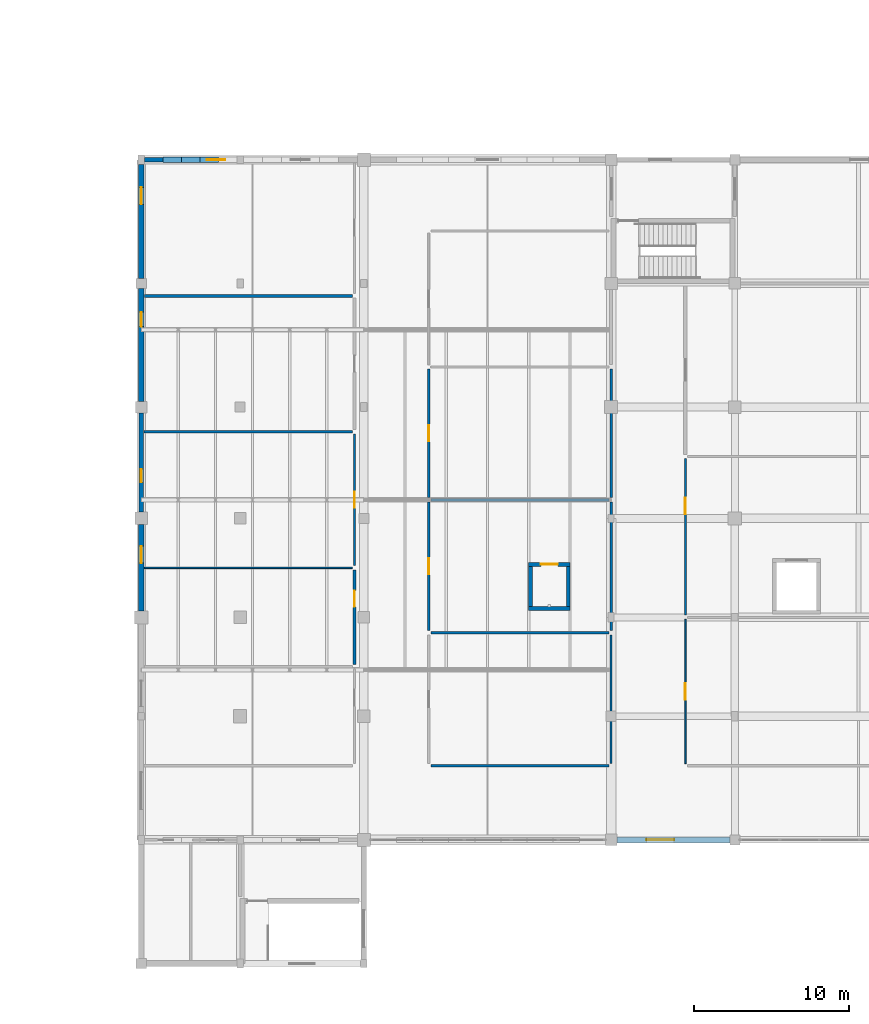
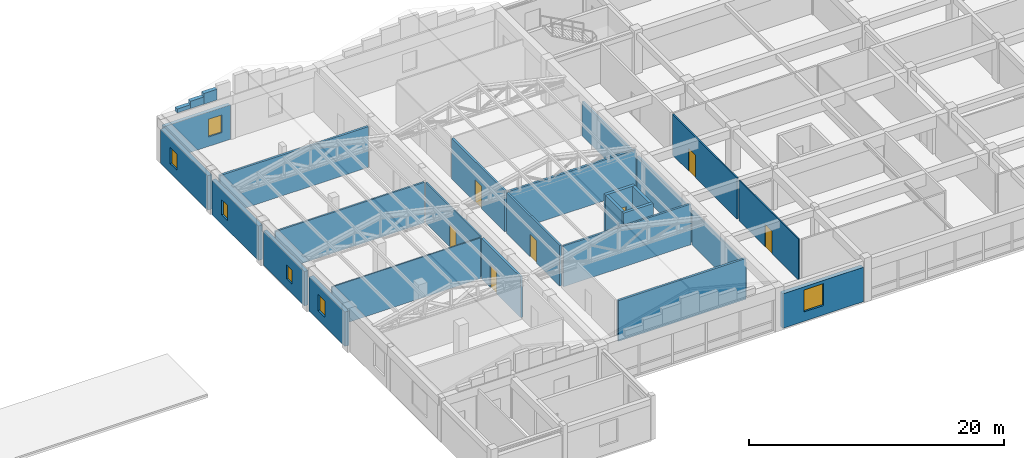
# One storey, part 27 of 35: 28 walls, 7 doors, 6 windows, 13 openings.
"""IFC4 building model written with IfcOpenShell, lengths in metres."""

from ifc_helpers import new_model, si_unit, direction, frame, frame_2d, origin, place, context, subcontext, project, spatial, rectangle, extrude, material, layer, layer_set, type_object, element, fill, save


model = new_model("IFC4")

# Units and contexts
model_context = context("Model", 3, precision=1e-05, world=origin(), true_north=direction((0.0, 1.0)))
body_context = subcontext(model_context, "Body", "Model", "MODEL_VIEW")
ifc_project = project(units=[si_unit("LENGTHUNIT", "METRE"), si_unit("AREAUNIT", "SQUARE_METRE"), si_unit("VOLUMEUNIT", "CUBIC_METRE"), si_unit("PLANEANGLEUNIT", "RADIAN"), si_unit("MASSUNIT", "GRAM", prefix="KILO")], contexts=[model_context])

# Site, building, storey
site_placement = place(None, origin())
site = spatial("IfcSite", under=ifc_project, at=site_placement, CompositionType="ELEMENT")
building_placement = place(site_placement, origin())
building = spatial("IfcBuilding", under=site, at=building_placement, Name="Vellmiral Cinema and Media Centre", CompositionType="ELEMENT")
storey_placement = place(building_placement, frame((0.0, 0.0, 15.60009765625)))
storey = spatial("IfcBuildingStorey", under=building, at=storey_placement, Name="L03", CompositionType="ELEMENT", Elevation=15.60009765625)

# Wall, opening, window
ifc_material_1 = material(Name="Polychrome Glazed Ceramic Cladding", Category="masonry")
ifc_layer_1 = layer(ifc_material_1, 0.320068359375, Name="Polychrome Glazed Ceramic Cladding")
ifc_layer_set_1 = layer_set([ifc_layer_1], Name="Polychrome Glazed Ceramic Cladding")
wall_type_1 = type_object("IfcWallType", Name="WL-EXT-BRICK-320", PredefinedType="SOLIDWALL", material=ifc_layer_set_1)
wall_1_placement = place(storey_placement, frame((54.199951171875, 95.199951171875, 0.0), z_axis=(0.0, 0.0, 1.0), x_axis=(-1.0, 0.0, 0.0)))
wall_1 = element("IfcWall", 1, at=wall_1_placement, inside=storey, type_object=wall_type_1, Name="Exterior Facade Wall L03-042", PredefinedType="SOLIDWALL", context=body_context, shape_type="SweptSolid", body=[
    extrude(rectangle(XDim=6.0, YDim=0.320068359375, at=frame_2d((3.0, 0.0))), origin(), (0.0, 0.0, 1.0), 3.2998046875),
])
opening_1_placement = place(wall_1_placement, frame((0.75, 0.0, 0.89990234375)))
opening_1 = element("IfcOpeningElement", 2, at=opening_1_placement, cuts=wall_1, Name="Opening WN-10", PredefinedType="OPENING", context=body_context, shape_type="SweptSolid", body=[
    extrude(rectangle(XDim=1.199951171875, YDim=1.699951171875, at=frame_2d((0.60009765625, 0.85009765625))), frame((0.0, 0.171875, 0.0), z_axis=(0.0, -1.0, 0.0), x_axis=(1.0, 0.0, 0.0)), (0.0, 0.0, 1.0), 0.343994140625),
])
ifc_material_2 = material(Name="Thermally Broken Aluminium Triple Glazing", Category="aluminium")
window_type_1 = type_object("IfcWindowType", Name="WN-1200x1700", PartitioningType="SINGLE_PANEL", PredefinedType="WINDOW", material=ifc_material_2)
window_1_placement = place(opening_1_placement, origin())
window_1 = element("IfcWindow", 3, at=window_1_placement, inside=storey, type_object=window_type_1, Name="Window L03-042", OverallHeight=1.699951171875, OverallWidth=1.199951171875, PartitioningType="SINGLE_PANEL", PredefinedType="WINDOW", context=body_context, shape_type="SweptSolid", body=[
    extrude(rectangle(XDim=1.199951171875, YDim=1.699951171875, at=frame_2d((0.60009765625, 0.85009765625))), frame((0.0, 0.030029296875, 0.0), z_axis=(0.0, -1.0, 0.0), x_axis=(1.0, 0.0, 0.0)), (0.0, 0.0, 1.0), 0.06005859375),
])
fill(opening_1, window_1)

wall_2_placement = place(storey_placement, frame((48.0, 78.824951171875, 0.0), z_axis=(0.0, 0.0, 1.0), x_axis=(0.0, -1.0, 0.0)))
wall_2 = element("IfcWall", 4, at=wall_2_placement, inside=storey, type_object=wall_type_1, Name="Exterior Facade Wall L03-045", PredefinedType="SOLIDWALL", context=body_context, shape_type="SweptSolid", body=[
    extrude(rectangle(XDim=6.425048828125, YDim=0.320068359375, at=frame_2d((3.21240234375, 0.0))), origin(), (0.0, 0.0, 1.0), 3.2998046875),
])
opening_2_placement = place(wall_2_placement, frame((3.637451171875, 0.0, 0.89990234375)))
opening_2 = element("IfcOpeningElement", 5, at=opening_2_placement, cuts=wall_2, Name="Opening WN-13", PredefinedType="OPENING", context=body_context, shape_type="SweptSolid", body=[
    extrude(rectangle(XDim=0.85009765625, YDim=1.35009765625, at=frame_2d((0.425048828125, 0.675048828125))), frame((0.0, 0.171875, 0.0), z_axis=(0.0, -1.0, 0.0), x_axis=(1.0, 0.0, 0.0)), (0.0, 0.0, 1.0), 0.343994140625),
])
ifc_material_3 = material(Name="Thermally Broken Aluminium Triple Glazing", Category="aluminium")
window_type_2 = type_object("IfcWindowType", Name="WN-0850x1350", PartitioningType="SINGLE_PANEL", PredefinedType="WINDOW", material=ifc_material_3)
window_2_placement = place(opening_2_placement, origin())
window_2 = element("IfcWindow", 6, at=window_2_placement, inside=storey, type_object=window_type_2, Name="Window L03-045", OverallHeight=1.35009765625, OverallWidth=0.85009765625, PartitioningType="SINGLE_PANEL", PredefinedType="WINDOW", context=body_context, shape_type="SweptSolid", body=[
    extrude(rectangle(XDim=0.85009765625, YDim=1.35009765625, at=frame_2d((0.425048828125, 0.675048828125))), frame((0.0, 0.030029296875, 0.0), z_axis=(0.0, -1.0, 0.0), x_axis=(1.0, 0.0, 0.0)), (0.0, 0.0, 1.0), 0.06005859375),
])
fill(opening_2, window_2)

# Walls
ifc_material_4 = material(Name="Vosges Red Sandstone Masonry", Category="masonry")
ifc_layer_2 = layer(ifc_material_4, 0.340087890625, Name="Vosges Red Sandstone Masonry")
ifc_layer_set_2 = layer_set([ifc_layer_2], Name="Vosges Red Sandstone Masonry")
wall_type_2 = type_object("IfcWallType", Name="WL-EXT-SAND-340", PredefinedType="SOLIDWALL", material=ifc_layer_set_2)
wall_3_placement = place(storey_placement, frame((49.39990234375, 95.199951171875, 4.199951171875), z_axis=(0.0, 0.0, 1.0), x_axis=(1.0, 0.0, 0.0)))
element("IfcWall", 7, at=wall_3_placement, inside=storey, type_object=wall_type_2, Name="Central Media Library West Barrel Vault Gable End Wall N-1", PredefinedType="SOLIDWALL", context=body_context, shape_type="SweptSolid", body=[
    extrude(rectangle(XDim=1.2001953125, YDim=0.340087890625, at=frame_2d((0.60009765625, 0.0))), origin(), (0.0, 0.0, 1.0), 0.375),
])
wall_4_placement = place(storey_placement, frame((50.60009765625, 95.199951171875, 4.199951171875), z_axis=(0.0, 0.0, 1.0), x_axis=(1.0, 0.0, 0.0)))
element("IfcWall", 8, at=wall_4_placement, inside=storey, type_object=wall_type_2, Name="Central Media Library West Barrel Vault Gable End Wall N-2", PredefinedType="SOLIDWALL", context=body_context, shape_type="SweptSolid", body=[
    extrude(rectangle(XDim=1.199951171875, YDim=0.340087890625, at=frame_2d((0.60009765625, 0.0))), origin(), (0.0, 0.0, 1.0), 0.696533203125),
])
wall_5_placement = place(storey_placement, frame((51.800048828125, 95.199951171875, 4.199951171875), z_axis=(0.0, 0.0, 1.0), x_axis=(1.0, 0.0, 0.0)))
element("IfcWall", 9, at=wall_5_placement, inside=storey, type_object=wall_type_2, Name="Central Media Library West Barrel Vault Gable End Wall N-3", PredefinedType="SOLIDWALL", context=body_context, shape_type="SweptSolid", body=[
    extrude(rectangle(XDim=1.199951171875, YDim=0.340087890625, at=frame_2d((0.60009765625, 0.0))), origin(), (0.0, 0.0, 1.0), 1.01806640625),
])

# Wall, opening, window
ifc_material_5 = material(Name="Vosges Red Sandstone Masonry", Category="masonry")
ifc_layer_3 = layer(ifc_material_5, 0.3798828125, Name="Vosges Red Sandstone Masonry")
ifc_layer_set_3 = layer_set([ifc_layer_3], Name="Vosges Red Sandstone Masonry")
wall_type_3 = type_object("IfcWallType", Name="WL-EXT-SAND-380", PredefinedType="SOLIDWALL", material=ifc_layer_set_3)
wall_6_placement = place(storey_placement, frame((78.77490234375, 51.199951171875, 0.0), z_axis=(0.0, 0.0, 1.0), x_axis=(1.0, 0.0, 0.0)))
wall_6 = element("IfcWall", 10, at=wall_6_placement, inside=storey, type_object=wall_type_3, Name="Exterior Facade Wall L03-005", PredefinedType="SOLIDWALL", context=body_context, shape_type="SweptSolid", body=[
    extrude(rectangle(XDim=7.300048828125, YDim=0.3798828125, at=frame_2d((3.64990234375, 0.0))), origin(), (0.0, 0.0, 1.0), 3.2998046875),
])
opening_3_placement = place(wall_6_placement, frame((1.89990234375, 0.0, 0.89990234375)))
opening_3 = element("IfcOpeningElement", 11, at=opening_3_placement, cuts=wall_6, Name="Opening WN-03", PredefinedType="OPENING", context=body_context, shape_type="SweptSolid", body=[
    extrude(rectangle(XDim=1.800048828125, YDim=2.10009765625, at=frame_2d((0.89990234375, 1.050048828125))), frame((0.0, 0.201904296875, 0.0), z_axis=(0.0, -1.0, 0.0), x_axis=(1.0, 0.0, 0.0)), (0.0, 0.0, 1.0), 0.40380859375),
])
ifc_material_6 = material(Name="Thermally Broken Aluminium Triple Glazing", Category="aluminium")
window_type_3 = type_object("IfcWindowType", Name="WN-1800x2100", PartitioningType="DOUBLE_PANEL_VERTICAL", PredefinedType="WINDOW", material=ifc_material_6)
window_3_placement = place(opening_3_placement, origin())
window_3 = element("IfcWindow", 12, at=window_3_placement, inside=storey, type_object=window_type_3, Name="Window L03-005", OverallHeight=2.10009765625, OverallWidth=1.800048828125, PartitioningType="DOUBLE_PANEL_VERTICAL", PredefinedType="WINDOW", context=body_context, shape_type="SweptSolid", body=[
    extrude(rectangle(XDim=1.800048828125, YDim=2.10009765625, at=frame_2d((0.89990234375, 1.050048828125))), frame((0.0, 0.030029296875, 0.0), z_axis=(0.0, -1.0, 0.0), x_axis=(1.0, 0.0, 0.0)), (0.0, 0.0, 1.0), 0.06005859375),
])
fill(opening_3, window_3)

wall_7_placement = place(storey_placement, frame((48.0, 94.89990234375, 0.0), z_axis=(0.0, 0.0, 1.0), x_axis=(0.0, -1.0, 0.0)))
wall_7 = element("IfcWall", 13, at=wall_7_placement, inside=storey, type_object=wall_type_3, Name="Exterior Facade Wall L03-043", PredefinedType="SOLIDWALL", context=body_context, shape_type="SweptSolid", body=[
    extrude(rectangle(XDim=7.375, YDim=0.3798828125, at=frame_2d((3.6875, 0.0))), origin(), (0.0, 0.0, 1.0), 3.2998046875),
])
opening_4_placement = place(wall_7_placement, frame((1.487548828125, 0.0, 0.89990234375)))
opening_4 = element("IfcOpeningElement", 14, at=opening_4_placement, cuts=wall_7, Name="Opening WN-11", PredefinedType="OPENING", context=body_context, shape_type="SweptSolid", body=[
    extrude(rectangle(XDim=1.10009765625, YDim=1.550048828125, at=frame_2d((0.550048828125, 0.77490234375))), frame((0.0, 0.201904296875, 0.0), z_axis=(0.0, -1.0, 0.0), x_axis=(1.0, 0.0, 0.0)), (0.0, 0.0, 1.0), 0.40380859375),
])
ifc_material_7 = material(Name="Thermally Broken Aluminium Triple Glazing", Category="aluminium")
window_type_4 = type_object("IfcWindowType", Name="WN-1100x1550", PartitioningType="SINGLE_PANEL", PredefinedType="WINDOW", material=ifc_material_7)
window_4_placement = place(opening_4_placement, origin())
window_4 = element("IfcWindow", 15, at=window_4_placement, inside=storey, type_object=window_type_4, Name="Window L03-043", OverallHeight=1.550048828125, OverallWidth=1.10009765625, PartitioningType="SINGLE_PANEL", PredefinedType="WINDOW", context=body_context, shape_type="SweptSolid", body=[
    extrude(rectangle(XDim=1.10009765625, YDim=1.550048828125, at=frame_2d((0.550048828125, 0.77490234375))), frame((0.0, 0.030029296875, 0.0), z_axis=(0.0, -1.0, 0.0), x_axis=(1.0, 0.0, 0.0)), (0.0, 0.0, 1.0), 0.06005859375),
])
fill(opening_4, window_4)

wall_8_placement = place(storey_placement, frame((48.0, 86.875, 0.0), z_axis=(0.0, 0.0, 1.0), x_axis=(0.0, -1.0, 0.0)))
wall_8 = element("IfcWall", 16, at=wall_8_placement, inside=storey, type_object=wall_type_3, Name="Exterior Facade Wall L03-044", PredefinedType="SOLIDWALL", context=body_context, shape_type="SweptSolid", body=[
    extrude(rectangle(XDim=7.300048828125, YDim=0.3798828125, at=frame_2d((3.64990234375, 0.0))), origin(), (0.0, 0.0, 1.0), 3.2998046875),
])
opening_5_placement = place(wall_8_placement, frame((1.52490234375, 0.0, 0.89990234375)))
opening_5 = element("IfcOpeningElement", 17, at=opening_5_placement, cuts=wall_8, Name="Opening WN-12", PredefinedType="OPENING", context=body_context, shape_type="SweptSolid", body=[
    extrude(rectangle(XDim=0.949951171875, YDim=1.449951171875, at=frame_2d((0.47509765625, 0.72509765625))), frame((0.0, 0.201904296875, 0.0), z_axis=(0.0, -1.0, 0.0), x_axis=(1.0, 0.0, 0.0)), (0.0, 0.0, 1.0), 0.40380859375),
])
ifc_material_8 = material(Name="Thermally Broken Aluminium Triple Glazing", Category="aluminium")
window_type_5 = type_object("IfcWindowType", Name="WN-0950x1450", PartitioningType="SINGLE_PANEL", PredefinedType="WINDOW", material=ifc_material_8)
window_5_placement = place(opening_5_placement, origin())
window_5 = element("IfcWindow", 18, at=window_5_placement, inside=storey, type_object=window_type_5, Name="Window L03-044", OverallHeight=1.449951171875, OverallWidth=0.949951171875, PartitioningType="SINGLE_PANEL", PredefinedType="WINDOW", context=body_context, shape_type="SweptSolid", body=[
    extrude(rectangle(XDim=0.949951171875, YDim=1.449951171875, at=frame_2d((0.47509765625, 0.72509765625))), frame((0.0, 0.030029296875, 0.0), z_axis=(0.0, -1.0, 0.0), x_axis=(1.0, 0.0, 0.0)), (0.0, 0.0, 1.0), 0.06005859375),
])
fill(opening_5, window_5)

wall_9_placement = place(storey_placement, frame((48.0, 71.60009765625, 0.0), z_axis=(0.0, 0.0, 1.0), x_axis=(0.0, -1.0, 0.0)))
wall_9 = element("IfcWall", 19, at=wall_9_placement, inside=storey, type_object=wall_type_3, Name="Exterior Facade Wall L03-046", PredefinedType="SOLIDWALL", context=body_context, shape_type="SweptSolid", body=[
    extrude(rectangle(XDim=5.5751953125, YDim=0.3798828125, at=frame_2d((2.78759765625, 0.0))), origin(), (0.0, 0.0, 1.0), 3.2998046875),
])
opening_6_placement = place(wall_9_placement, frame((1.387451171875, 0.0, 0.89990234375)))
opening_6 = element("IfcOpeningElement", 20, at=opening_6_placement, cuts=wall_9, Name="Opening WN-11", PredefinedType="OPENING", context=body_context, shape_type="SweptSolid", body=[
    extrude(rectangle(XDim=1.10009765625, YDim=1.550048828125, at=frame_2d((0.550048828125, 0.77490234375))), frame((0.0, 0.201904296875, 0.0), z_axis=(0.0, -1.0, 0.0), x_axis=(1.0, 0.0, 0.0)), (0.0, 0.0, 1.0), 0.40380859375),
])
window_6_placement = place(opening_6_placement, origin())
window_6 = element("IfcWindow", 21, at=window_6_placement, inside=storey, type_object=window_type_4, Name="Window L03-046", OverallHeight=1.550048828125, OverallWidth=1.10009765625, PartitioningType="SINGLE_PANEL", PredefinedType="WINDOW", context=body_context, shape_type="SweptSolid", body=[
    extrude(rectangle(XDim=1.10009765625, YDim=1.550048828125, at=frame_2d((0.550048828125, 0.77490234375))), frame((0.0, 0.030029296875, 0.0), z_axis=(0.0, -1.0, 0.0), x_axis=(1.0, 0.0, 0.0)), (0.0, 0.0, 1.0), 0.06005859375),
])
fill(opening_6, window_6)

# Wall
ifc_material_9 = material(Name="Gypsum Plasterboard")
ifc_layer_4 = layer(ifc_material_9, 0.02490234375, Name="Gypsum Plasterboard", Category="gypsum")
ifc_material_10 = material(Name="Mineral Wool Acoustic Insulation", Category="insulation")
ifc_layer_5 = layer(ifc_material_10, 0.06005859375, Name="Mineral Wool Acoustic Insulation", Category="insulation")
ifc_layer_6 = layer(ifc_material_9, 0.02490234375, Name="Gypsum Plasterboard", Category="gypsum")
ifc_layer_set_4 = layer_set([ifc_layer_4, ifc_layer_5, ifc_layer_6], Name="Gypsum Plasterboard")
wall_type_4 = type_object("IfcWallType", Name="WL-PART-110", PredefinedType="PARTITIONING", material=ifc_layer_set_4)
wall_10_placement = place(storey_placement, frame((48.205078125, 68.800048828125, 0.0), z_axis=(0.0, 0.0, 1.0), x_axis=(1.0, 0.0, 0.0)))
element("IfcWall", 22, at=wall_10_placement, inside=storey, type_object=wall_type_4, Name="Editing Suite 02 Wall N", PredefinedType="PARTITIONING", context=body_context, shape_type="SweptSolid", body=[
    extrude(rectangle(XDim=13.454833984375, YDim=0.110107421875, at=frame_2d((6.7275390625, 0.0))), origin(), (0.0, 0.0, 1.0), 3.89990234375),
])

# Wall, opening, door
wall_11_placement = place(storey_placement, frame((83.199951171875, 56.139892578125, 0.0), z_axis=(0.0, 0.0, 1.0), x_axis=(0.0, 1.0, 0.0)))
wall_11 = element("IfcWall", 23, at=wall_11_placement, inside=storey, type_object=wall_type_4, Name="Editing Suite 10 Wall W", PredefinedType="PARTITIONING", context=body_context, shape_type="SweptSolid", body=[
    extrude(rectangle(XDim=9.320068359375, YDim=0.110107421875, at=frame_2d((4.66015625, 0.0))), origin(), (0.0, 0.0, 1.0), 3.89990234375),
])
opening_7_placement = place(wall_11_placement, frame((4.135009765625, 0.0, 0.0)))
opening_7 = element("IfcOpeningElement", 24, at=opening_7_placement, cuts=wall_11, Name="Opening D-AC6", PredefinedType="OPENING", context=body_context, shape_type="SweptSolid", body=[
    extrude(rectangle(XDim=1.050048828125, YDim=2.14990234375, at=frame_2d((0.52490234375, 1.074951171875))), frame((0.0, 0.06689453125, 0.0), z_axis=(0.0, -1.0, 0.0), x_axis=(1.0, 0.0, 0.0)), (0.0, 0.0, 1.0), 0.134033203125),
])
ifc_material_11 = material(Name="Acoustic Editing Suite Door", Category="wood")
door_type_1 = type_object("IfcDoorType", Name="DR-AC-1050x2150", OperationType="NOTDEFINED", PredefinedType="DOOR", material=ifc_material_11)
door_1_placement = place(opening_7_placement, frame((1.050048828125, 0.0, 0.0), z_axis=(0.0, 0.0, 1.0), x_axis=(-1.0, 0.0, 0.0)))
door_1 = element("IfcDoor", 25, at=door_1_placement, inside=storey, type_object=door_type_1, Name="Editing Suite 10 Door", OperationType="SINGLE_SWING_RIGHT", OverallHeight=2.14990234375, OverallWidth=1.050048828125, PredefinedType="DOOR", context=body_context, shape_type="SweptSolid", body=[
    extrude(rectangle(XDim=1.050048828125, YDim=2.14990234375, at=frame_2d((0.52490234375, 1.074951171875))), frame((0.0, 0.02490234375, 0.0), z_axis=(0.0, -1.0, 0.0), x_axis=(1.0, 0.0, 0.0)), (0.0, 0.0, 1.0), 0.050048828125),
])
fill(opening_7, door_1)

ifc_material_12 = material(Name="Gypsum Plasterboard")
ifc_layer_7 = layer(ifc_material_12, 0.02490234375, Name="Gypsum Plasterboard", Category="gypsum")
ifc_material_13 = material(Name="Mineral Wool Acoustic Insulation", Category="insulation")
ifc_layer_8 = layer(ifc_material_13, 0.080078125, Name="Mineral Wool Acoustic Insulation", Category="insulation")
ifc_layer_9 = layer(ifc_material_12, 0.02490234375, Name="Gypsum Plasterboard", Category="gypsum")
ifc_layer_set_5 = layer_set([ifc_layer_7, ifc_layer_8, ifc_layer_9], Name="Gypsum Plasterboard")
wall_type_5 = type_object("IfcWallType", Name="WL-PART-130", PredefinedType="PARTITIONING", material=ifc_layer_set_5)
wall_12_placement = place(storey_placement, frame((61.800048828125, 68.93994140625, 0.0), z_axis=(0.0, 0.0, 1.0), x_axis=(0.0, 1.0, 0.0)))
wall_12 = element("IfcWall", 26, at=wall_12_placement, inside=storey, type_object=wall_type_5, Name="Editing Suite 03 Wall E", PredefinedType="PARTITIONING", context=body_context, shape_type="SweptSolid", body=[
    extrude(rectangle(XDim=8.52001953125, YDim=0.1298828125, at=frame_2d((4.260009765625, 0.0))), origin(), (0.0, 0.0, 1.0), 3.89990234375),
])
opening_8_placement = place(wall_12_placement, frame((3.735107421875, 0.0, 0.0)))
opening_8 = element("IfcOpeningElement", 27, at=opening_8_placement, cuts=wall_12, Name="Opening D-AC6", PredefinedType="OPENING", context=body_context, shape_type="SweptSolid", body=[
    extrude(rectangle(XDim=1.050048828125, YDim=2.14990234375, at=frame_2d((0.52490234375, 1.074951171875))), frame((0.0, 0.076904296875, 0.0), z_axis=(0.0, -1.0, 0.0), x_axis=(1.0, 0.0, 0.0)), (0.0, 0.0, 1.0), 0.15380859375),
])
door_2_placement = place(opening_8_placement, origin())
door_2 = element("IfcDoor", 28, at=door_2_placement, inside=storey, type_object=door_type_1, Name="Editing Suite 03 Door", OperationType="SINGLE_SWING_LEFT", OverallHeight=2.14990234375, OverallWidth=1.050048828125, PredefinedType="DOOR", context=body_context, shape_type="SweptSolid", body=[
    extrude(rectangle(XDim=1.050048828125, YDim=2.14990234375, at=frame_2d((0.52490234375, 1.074951171875))), frame((0.0, 0.02490234375, 0.0), z_axis=(0.0, -1.0, 0.0), x_axis=(1.0, 0.0, 0.0)), (0.0, 0.0, 1.0), 0.050048828125),
])
fill(opening_8, door_2)

# Wall
wall_13_placement = place(storey_placement, frame((78.39990234375, 56.139892578125, 0.0), z_axis=(0.0, 0.0, 1.0), x_axis=(0.0, 1.0, 0.0)))
element("IfcWall", 29, at=wall_13_placement, inside=storey, type_object=wall_type_5, Name="Editing Suite 06 Wall E", PredefinedType="PARTITIONING", context=body_context, shape_type="SweptSolid", body=[
    extrude(rectangle(XDim=8.320068359375, YDim=0.1298828125, at=frame_2d((4.16015625, 0.0))), origin(), (0.0, 0.0, 1.0), 3.2998046875),
])

# Wall, opening, door
wall_14_placement = place(storey_placement, frame((83.199951171875, 65.739990234375, 0.0), z_axis=(0.0, 0.0, 1.0), x_axis=(0.0, 1.0, 0.0)))
wall_14 = element("IfcWall", 30, at=wall_14_placement, inside=storey, type_object=wall_type_5, Name="Editing Suite 12 Wall W", PredefinedType="PARTITIONING", context=body_context, shape_type="SweptSolid", body=[
    extrude(rectangle(XDim=10.1201171875, YDim=0.1298828125, at=frame_2d((5.06005859375, 0.0))), origin(), (0.0, 0.0, 1.0), 3.89990234375),
])
opening_9_placement = place(wall_14_placement, frame((6.534912109375, 0.0, 0.0)))
opening_9 = element("IfcOpeningElement", 31, at=opening_9_placement, cuts=wall_14, Name="Opening D-AC6", PredefinedType="OPENING", context=body_context, shape_type="SweptSolid", body=[
    extrude(rectangle(XDim=1.050048828125, YDim=2.14990234375, at=frame_2d((0.52490234375, 1.074951171875))), frame((0.0, 0.076904296875, 0.0), z_axis=(0.0, -1.0, 0.0), x_axis=(1.0, 0.0, 0.0)), (0.0, 0.0, 1.0), 0.15380859375),
])
door_3_placement = place(opening_9_placement, frame((1.050048828125, 0.0, 0.0), z_axis=(0.0, 0.0, 1.0), x_axis=(-1.0, 0.0, 0.0)))
door_3 = element("IfcDoor", 32, at=door_3_placement, inside=storey, type_object=door_type_1, Name="Editing Suite 12 Door", OperationType="SINGLE_SWING_LEFT", OverallHeight=2.14990234375, OverallWidth=1.050048828125, PredefinedType="DOOR", context=body_context, shape_type="SweptSolid", body=[
    extrude(rectangle(XDim=1.050048828125, YDim=2.14990234375, at=frame_2d((0.52490234375, 1.074951171875))), frame((0.0, 0.02490234375, 0.0), z_axis=(0.0, -1.0, 0.0), x_axis=(1.0, 0.0, 0.0)), (0.0, 0.0, 1.0), 0.050048828125),
])
fill(opening_9, door_3)

# Walls
ifc_material_14 = material(Name="Gypsum Plasterboard")
ifc_layer_10 = layer(ifc_material_14, 0.02490234375, Name="Gypsum Plasterboard", Category="gypsum")
ifc_material_15 = material(Name="Mineral Wool Acoustic Insulation", Category="insulation")
ifc_layer_11 = layer(ifc_material_15, 0.10009765625, Name="Mineral Wool Acoustic Insulation", Category="insulation")
ifc_layer_12 = layer(ifc_material_14, 0.02490234375, Name="Gypsum Plasterboard", Category="gypsum")
ifc_layer_set_6 = layer_set([ifc_layer_10, ifc_layer_11, ifc_layer_12], Name="Gypsum Plasterboard")
wall_type_6 = type_object("IfcWallType", Name="WL-PART-150", PredefinedType="PARTITIONING", material=ifc_layer_set_6)
wall_15_placement = place(storey_placement, frame((48.175048828125, 77.60009765625, 0.0), z_axis=(0.0, 0.0, 1.0), x_axis=(1.0, 0.0, 0.0)))
element("IfcWall", 33, at=wall_15_placement, inside=storey, type_object=wall_type_6, Name="Editing Suite 03 Wall N", PredefinedType="PARTITIONING", context=body_context, shape_type="SweptSolid", body=[
    extrude(rectangle(XDim=13.48486328125, YDim=0.14990234375, at=frame_2d((6.742431640625, 0.0))), origin(), (0.0, 0.0, 1.0), 3.89990234375),
])
wall_16_placement = place(storey_placement, frame((78.39990234375, 64.739990234375, 0.0), z_axis=(0.0, 0.0, 1.0), x_axis=(0.0, 1.0, 0.0)))
element("IfcWall", 34, at=wall_16_placement, inside=storey, type_object=wall_type_6, Name="Editing Suite 07 Wall E", PredefinedType="PARTITIONING", context=body_context, shape_type="SweptSolid", body=[
    extrude(rectangle(XDim=8.320068359375, YDim=0.14990234375, at=frame_2d((4.16015625, 0.0))), origin(), (0.0, 0.0, 1.0), 3.2998046875),
])
ifc_material_16 = material(Name="Gypsum Plasterboard")
ifc_layer_13 = layer(ifc_material_16, 0.02490234375, Name="Gypsum Plasterboard", Category="gypsum")
ifc_material_17 = material(Name="Mineral Wool Acoustic Insulation", Category="insulation")
ifc_layer_14 = layer(ifc_material_17, 0.1201171875, Name="Mineral Wool Acoustic Insulation", Category="insulation")
ifc_layer_15 = layer(ifc_material_16, 0.02490234375, Name="Gypsum Plasterboard", Category="gypsum")
ifc_layer_set_7 = layer_set([ifc_layer_13, ifc_layer_14, ifc_layer_15], Name="Gypsum Plasterboard")
wall_type_7 = type_object("IfcWallType", Name="WL-PART-170", PredefinedType="PARTITIONING", material=ifc_layer_set_7)
wall_17_placement = place(storey_placement, frame((66.739990234375, 64.60009765625, 0.0), z_axis=(0.0, 0.0, 1.0), x_axis=(1.0, 0.0, 0.0)))
element("IfcWall", 35, at=wall_17_placement, inside=storey, type_object=wall_type_7, Name="Editing Suite 06 Wall N", PredefinedType="PARTITIONING", context=body_context, shape_type="SweptSolid", body=[
    extrude(rectangle(XDim=11.52001953125, YDim=0.169921875, at=frame_2d((5.760009765625, 0.0))), origin(), (0.0, 0.0, 1.0), 3.89990234375),
])

# Wall, opening, door
wall_18_placement = place(storey_placement, frame((66.60009765625, 64.739990234375, 0.0), z_axis=(0.0, 0.0, 1.0), x_axis=(0.0, 1.0, 0.0)))
wall_18 = element("IfcWall", 36, at=wall_18_placement, inside=storey, type_object=wall_type_7, Name="Editing Suite 07 Wall W", PredefinedType="PARTITIONING", context=body_context, shape_type="SweptSolid", body=[
    extrude(rectangle(XDim=8.320068359375, YDim=0.169921875, at=frame_2d((4.16015625, 0.0))), origin(), (0.0, 0.0, 1.0), 3.89990234375),
])
opening_10_placement = place(wall_18_placement, frame((3.635009765625, 0.0, 0.0)))
opening_10 = element("IfcOpeningElement", 37, at=opening_10_placement, cuts=wall_18, Name="Opening D-AC6", PredefinedType="OPENING", context=body_context, shape_type="SweptSolid", body=[
    extrude(rectangle(XDim=1.050048828125, YDim=2.14990234375, at=frame_2d((0.52490234375, 1.074951171875))), frame((0.0, 0.096923828125, 0.0), z_axis=(0.0, -1.0, 0.0), x_axis=(1.0, 0.0, 0.0)), (0.0, 0.0, 1.0), 0.19384765625),
])
door_4_placement = place(opening_10_placement, frame((1.050048828125, 0.0, 0.0), z_axis=(0.0, 0.0, 1.0), x_axis=(-1.0, 0.0, 0.0)))
door_4 = element("IfcDoor", 38, at=door_4_placement, inside=storey, type_object=door_type_1, Name="Editing Suite 07 Door", OperationType="SINGLE_SWING_LEFT", OverallHeight=2.14990234375, OverallWidth=1.050048828125, PredefinedType="DOOR", context=body_context, shape_type="SweptSolid", body=[
    extrude(rectangle(XDim=1.050048828125, YDim=2.14990234375, at=frame_2d((0.52490234375, 1.074951171875))), frame((0.0, 0.02490234375, 0.0), z_axis=(0.0, -1.0, 0.0), x_axis=(1.0, 0.0, 0.0)), (0.0, 0.0, 1.0), 0.050048828125),
])
fill(opening_10, door_4)

# Wall
wall_19_placement = place(storey_placement, frame((78.39990234375, 73.340087890625, 0.0), z_axis=(0.0, 0.0, 1.0), x_axis=(0.0, 1.0, 0.0)))
element("IfcWall", 39, at=wall_19_placement, inside=storey, type_object=wall_type_7, Name="Editing Suite 08 Wall E", PredefinedType="PARTITIONING", context=body_context, shape_type="SweptSolid", body=[
    extrude(rectangle(XDim=8.31982421875, YDim=0.169921875, at=frame_2d((4.159912109375, 0.0))), origin(), (0.0, 0.0, 1.0), 3.2998046875),
])

# Wall, opening, door
ifc_material_18 = material(Name="Gypsum Plasterboard")
ifc_layer_16 = layer(ifc_material_18, 0.02490234375, Name="Gypsum Plasterboard", Category="gypsum")
ifc_material_19 = material(Name="Mineral Wool Acoustic Insulation", Category="insulation")
ifc_layer_17 = layer(ifc_material_19, 0.139892578125, Name="Mineral Wool Acoustic Insulation", Category="insulation")
ifc_layer_18 = layer(ifc_material_18, 0.02490234375, Name="Gypsum Plasterboard", Category="gypsum")
ifc_layer_set_8 = layer_set([ifc_layer_16, ifc_layer_17, ifc_layer_18], Name="Gypsum Plasterboard")
wall_type_8 = type_object("IfcWallType", Name="WL-PART-190", PredefinedType="PARTITIONING", material=ifc_layer_set_8)
wall_20_placement = place(storey_placement, frame((61.800048828125, 62.5400390625, 0.0), z_axis=(0.0, 0.0, 1.0), x_axis=(0.0, 1.0, 0.0)))
wall_20 = element("IfcWall", 40, at=wall_20_placement, inside=storey, type_object=wall_type_8, Name="Editing Suite 02 Wall E", PredefinedType="PARTITIONING", context=body_context, shape_type="SweptSolid", body=[
    extrude(rectangle(XDim=6.119873046875, YDim=0.18994140625, at=frame_2d((3.06005859375, 0.0))), origin(), (0.0, 0.0, 1.0), 3.89990234375),
])
opening_11_placement = place(wall_20_placement, frame((3.735107421875, 0.0, 0.0)))
opening_11 = element("IfcOpeningElement", 41, at=opening_11_placement, cuts=wall_20, Name="Opening D-AC6", PredefinedType="OPENING", context=body_context, shape_type="SweptSolid", body=[
    extrude(rectangle(XDim=1.050048828125, YDim=2.14990234375, at=frame_2d((0.52490234375, 1.074951171875))), frame((0.0, 0.10693359375, 0.0), z_axis=(0.0, -1.0, 0.0), x_axis=(1.0, 0.0, 0.0)), (0.0, 0.0, 1.0), 0.2138671875),
])
door_5_placement = place(opening_11_placement, origin())
door_5 = element("IfcDoor", 42, at=door_5_placement, inside=storey, type_object=door_type_1, Name="Editing Suite 02 Door", OperationType="SINGLE_SWING_RIGHT", OverallHeight=2.14990234375, OverallWidth=1.050048828125, PredefinedType="DOOR", context=body_context, shape_type="SweptSolid", body=[
    extrude(rectangle(XDim=1.050048828125, YDim=2.14990234375, at=frame_2d((0.52490234375, 1.074951171875))), frame((0.0, 0.02490234375, 0.0), z_axis=(0.0, -1.0, 0.0), x_axis=(1.0, 0.0, 0.0)), (0.0, 0.0, 1.0), 0.050048828125),
])
fill(opening_11, door_5)

# Walls
wall_21_placement = place(storey_placement, frame((48.205078125, 86.39990234375, 0.0), z_axis=(0.0, 0.0, 1.0), x_axis=(1.0, 0.0, 0.0)))
element("IfcWall", 43, at=wall_21_placement, inside=storey, type_object=wall_type_8, Name="Editing Suite 04 Wall N", PredefinedType="PARTITIONING", context=body_context, shape_type="SweptSolid", body=[
    extrude(rectangle(XDim=13.454833984375, YDim=0.18994140625, at=frame_2d((6.7275390625, 0.0))), origin(), (0.0, 0.0, 1.0), 3.89990234375),
])
for number, where, z_axis, x_axis, name in (
    (44, (66.739990234375, 56.0, 0.0), (0.0, 0.0, 1.0), (1.0, 0.0, 0.0), "Editing Suite 06 Wall S"),
    (45, (66.739990234375, 73.199951171875, 0.0), (0.0, 0.0, 1.0), (1.0, 0.0, 0.0), "Editing Suite 07 Wall N"),
):
    element("IfcWall", number, at=place(storey_placement, frame(where, z_axis=z_axis, x_axis=x_axis)), inside=storey, type_object=wall_type_8, Name=name, PredefinedType="PARTITIONING", context=body_context, shape_type="SweptSolid", body=[
        extrude(rectangle(XDim=11.52001953125, YDim=0.18994140625, at=frame_2d((5.760009765625, 0.0))), origin(), (0.0, 0.0, 1.0), 3.89990234375),
    ])

# Wall, opening, door
wall_22_placement = place(storey_placement, frame((66.60009765625, 73.340087890625, 0.0), z_axis=(0.0, 0.0, 1.0), x_axis=(0.0, 1.0, 0.0)))
wall_22 = element("IfcWall", 46, at=wall_22_placement, inside=storey, type_object=wall_type_8, Name="Editing Suite 08 Wall W", PredefinedType="PARTITIONING", context=body_context, shape_type="SweptSolid", body=[
    extrude(rectangle(XDim=8.31982421875, YDim=0.18994140625, at=frame_2d((4.159912109375, 0.0))), origin(), (0.0, 0.0, 1.0), 3.89990234375),
])
opening_12_placement = place(wall_22_placement, frame((3.635009765625, 0.0, 0.0)))
opening_12 = element("IfcOpeningElement", 47, at=opening_12_placement, cuts=wall_22, Name="Opening D-AC6", PredefinedType="OPENING", context=body_context, shape_type="SweptSolid", body=[
    extrude(rectangle(XDim=1.050048828125, YDim=2.14990234375, at=frame_2d((0.52490234375, 1.074951171875))), frame((0.0, 0.10693359375, 0.0), z_axis=(0.0, -1.0, 0.0), x_axis=(1.0, 0.0, 0.0)), (0.0, 0.0, 1.0), 0.2138671875),
])
door_6_placement = place(opening_12_placement, frame((1.050048828125, 0.0, 0.0), z_axis=(0.0, 0.0, 1.0), x_axis=(-1.0, 0.0, 0.0)))
door_6 = element("IfcDoor", 48, at=door_6_placement, inside=storey, type_object=door_type_1, Name="Editing Suite 08 Door", OperationType="SINGLE_SWING_RIGHT", OverallHeight=2.14990234375, OverallWidth=1.050048828125, PredefinedType="DOOR", context=body_context, shape_type="SweptSolid", body=[
    extrude(rectangle(XDim=1.050048828125, YDim=2.14990234375, at=frame_2d((0.52490234375, 1.074951171875))), frame((0.0, 0.02490234375, 0.0), z_axis=(0.0, -1.0, 0.0), x_axis=(1.0, 0.0, 0.0)), (0.0, 0.0, 1.0), 0.050048828125),
])
fill(opening_12, door_6)

# Wall
ifc_material_20 = material(Name="Concrete C40/50", Category="concrete")
ifc_layer_19 = layer(ifc_material_20, 0.25, Name="Concrete C40/50")
ifc_layer_set_9 = layer_set([ifc_layer_19], Name="Concrete C40/50")
wall_type_9 = type_object("IfcWallType", Name="WL-SHAFT-250", PredefinedType="SHEAR", material=ifc_layer_set_9)
wall_23_placement = place(storey_placement, frame((73.050048828125, 66.175048828125, 0.0), z_axis=(0.0, 0.0, 1.0), x_axis=(1.0, 0.0, 0.0)))
element("IfcWall", 49, at=wall_23_placement, inside=storey, type_object=wall_type_9, Name="Lift Shaft Wall LF-C2 L03-S", PredefinedType="SHEAR", context=body_context, shape_type="SweptSolid", body=[
    extrude(rectangle(XDim=2.699951171875, YDim=0.25, at=frame_2d((1.35009765625, 0.0))), origin(), (0.0, 0.0, 1.0), 3.89990234375),
])

# Wall, opening, door
wall_24_placement = place(storey_placement, frame((73.050048828125, 69.02490234375, 0.0), z_axis=(0.0, 0.0, 1.0), x_axis=(1.0, 0.0, 0.0)))
wall_24 = element("IfcWall", 50, at=wall_24_placement, inside=storey, type_object=wall_type_9, Name="Lift Shaft Wall LF-C2 L03-N", PredefinedType="SHEAR", context=body_context, shape_type="SweptSolid", body=[
    extrude(rectangle(XDim=2.699951171875, YDim=0.25, at=frame_2d((1.35009765625, 0.0))), origin(), (0.0, 0.0, 1.0), 3.89990234375),
])
opening_13_placement = place(wall_24_placement, frame((0.800048828125, 0.0, 0.0)))
opening_13 = element("IfcOpeningElement", 51, at=opening_13_placement, cuts=wall_24, Name="Opening LD-01", PredefinedType="OPENING", context=body_context, shape_type="SweptSolid", body=[
    extrude(rectangle(XDim=1.10009765625, YDim=2.14990234375, at=frame_2d((0.550048828125, 1.074951171875))), frame((0.0, 0.136962890625, 0.0), z_axis=(0.0, -1.0, 0.0), x_axis=(1.0, 0.0, 0.0)), (0.0, 0.0, 1.0), 0.27392578125),
])
ifc_material_21 = material(Name="Stainless Steel Lift Landing Door", Category="steel")
door_type_2 = type_object("IfcDoorType", Name="DR-LIFT-1100x2150", OperationType="SLIDING_TO_LEFT", PredefinedType="DOOR", material=ifc_material_21)
door_7_placement = place(opening_13_placement, origin())
door_7 = element("IfcDoor", 52, at=door_7_placement, inside=storey, type_object=door_type_2, Name="Lift Landing Door LF-C2 L03", OperationType="SLIDING_TO_LEFT", OverallHeight=2.14990234375, OverallWidth=1.10009765625, PredefinedType="DOOR", context=body_context, shape_type="SweptSolid", body=[
    extrude(rectangle(XDim=1.10009765625, YDim=2.14990234375, at=frame_2d((0.550048828125, 1.074951171875))), frame((0.0, 0.02490234375, 0.0), z_axis=(0.0, -1.0, 0.0), x_axis=(1.0, 0.0, 0.0)), (0.0, 0.0, 1.0), 0.050048828125),
])
fill(opening_13, door_7)

# Walls
for number, where, z_axis, x_axis, name in (
    (53, (73.175048828125, 66.300048828125, 0.0), (0.0, 0.0, 1.0), (0.0, 1.0, 0.0), "Lift Shaft Wall LF-C2 L03-W"),
    (54, (75.625, 66.300048828125, 0.0), (0.0, 0.0, 1.0), (0.0, 1.0, 0.0), "Lift Shaft Wall LF-C2 L03-E"),
):
    element("IfcWall", number, at=place(storey_placement, frame(where, z_axis=z_axis, x_axis=x_axis)), inside=storey, type_object=wall_type_9, Name=name, PredefinedType="SHEAR", context=body_context, shape_type="SweptSolid", body=[
        extrude(rectangle(XDim=2.599853515625, YDim=0.25, at=frame_2d((1.2998046875, 0.0))), origin(), (0.0, 0.0, 1.0), 3.89990234375),
    ])

save(model, "model.ifc")
